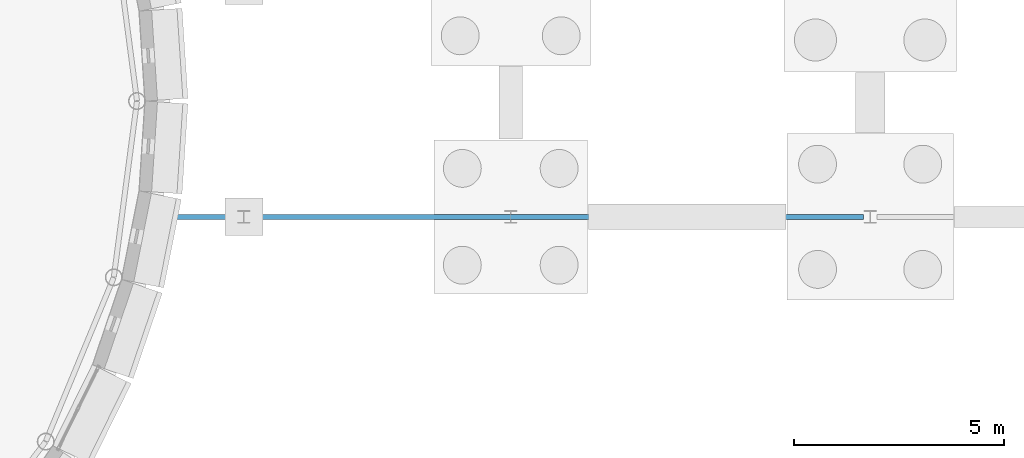
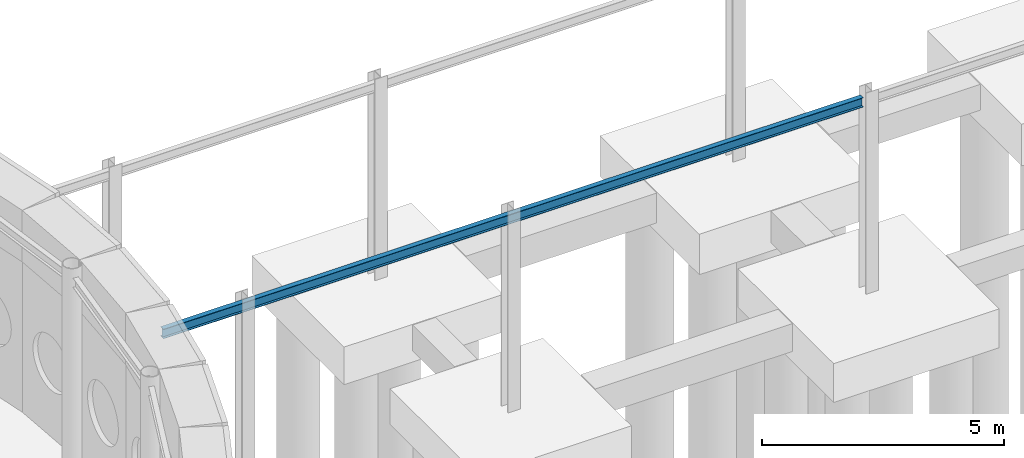
# One storey, part 40 of 109: 1 beam.
"""IFC4 building model written with IfcOpenShell, lengths in metres."""

import ifcopenshell
import ifcopenshell.guid

model = None  # the IFC model being written
_history = None  # IfcOwnerHistory: only IFC2X3 demands one
_inside = {}  # id of a spatial element -> (the spatial element, [elements in it])
_under = {}  # id of a project, library or spatial element -> (it, [spatial elements below it])
_declared = {}  # id of a project -> (the project, [libraries it declares])
_typed = {}  # id of a type object -> (the type object, [elements of that type])
_made_of = {}  # id of a material, layer set ... -> (it, [elements and type objects made of it])


def new_model(schema):
    """Start an empty IFC model of exactly this schema.

    Asked for "IFC4X3", IfcOpenShell would pick the latest addendum, in which some entities
    have other attributes; the version numbers below select the first issue.
    IFC2X3 requires an IfcOwnerHistory on every rooted entity: one is made here for all.
    """
    global model, _history
    if schema == "IFC4X3":
        model = ifcopenshell.file(schema_version=(4, 3, 0, 0))
    else:
        model = ifcopenshell.file(schema=schema)
    _inside.clear()
    _under.clear()
    _declared.clear()
    _typed.clear()
    _made_of.clear()
    _history = None
    if model.schema == "IFC2X3":
        org = make("IfcOrganization", Name="unknown")
        user = make(
            "IfcPersonAndOrganization",
            ThePerson=make("IfcPerson", FamilyName="unknown"),
            TheOrganization=org,
        )
        app = make(
            "IfcApplication",
            ApplicationDeveloper=org,
            Version="unknown",
            ApplicationFullName="unknown",
            ApplicationIdentifier="unknown",
        )
        _history = make(
            "IfcOwnerHistory",
            OwningUser=user,
            OwningApplication=app,
            ChangeAction="ADDED",
            CreationDate=0,
        )
    return model


def make(cls, **values):
    """One entity of the class cls with the attributes given. An attribute that is None is left unset."""
    return model.create_entity(
        cls, **{name: value for name, value in values.items() if value is not None}
    )


def rooted(cls, **values):
    """An entity with a GlobalId (a new one), such as an element, a storey or a relation."""
    return make(cls, GlobalId=ifcopenshell.guid.new(), OwnerHistory=_history, **values)


def si_unit(unit_type, name, prefix=None):
    """IfcSIUnit, for example si_unit("LENGTHUNIT", "METRE", prefix="MILLI")."""
    return make("IfcSIUnit", UnitType=unit_type, Prefix=prefix, Name=name)


def assignment(units):
    """IfcUnitAssignment: the units of a project."""
    return None if units is None else make("IfcUnitAssignment", Units=units)


def point(xyz):
    """IfcCartesianPoint."""
    return None if xyz is None else make("IfcCartesianPoint", Coordinates=xyz)


def direction(xyz):
    """IfcDirection."""
    return None if xyz is None else make("IfcDirection", DirectionRatios=xyz)


def frame(location, z_axis=None, x_axis=None):
    """IfcAxis2Placement3D, a coordinate frame: its origin and axes. An axis left out is left unset."""
    return make(
        "IfcAxis2Placement3D",
        Location=point(location),
        Axis=direction(z_axis),
        RefDirection=direction(x_axis),
    )


def frame_2d(location, x_axis=None):
    """IfcAxis2Placement2D, a coordinate frame in the plane: its origin and x axis."""
    return make(
        "IfcAxis2Placement2D", Location=point(location), RefDirection=direction(x_axis)
    )


def origin():
    """The frame at (0, 0, 0) with its axes left unset."""
    return frame((0.0, 0.0, 0.0))


def origin_2d():
    """The frame at (0, 0) in the plane with its x axis left unset."""
    return frame_2d((0.0, 0.0))


def place(relative_to, where):
    """IfcLocalPlacement: puts the frame where relative to a parent placement (None: the world)."""
    return make(
        "IfcLocalPlacement", PlacementRelTo=relative_to, RelativePlacement=where
    )


def context(
    kind, dimensions, precision=None, world=None, true_north=None, identifier=None
):
    """IfcGeometricRepresentationContext, for example the 3D "Model" context."""
    return make(
        "IfcGeometricRepresentationContext",
        ContextIdentifier=identifier,
        ContextType=kind,
        CoordinateSpaceDimension=dimensions,
        Precision=precision,
        WorldCoordinateSystem=world,
        TrueNorth=true_north,
    )


def subcontext(parent, identifier, kind, view, scale=None):
    """IfcGeometricRepresentationSubContext, for example "Body" below "Model"."""
    return make(
        "IfcGeometricRepresentationSubContext",
        ContextIdentifier=identifier,
        ContextType=kind,
        ParentContext=parent,
        TargetScale=scale,
        TargetView=view,
    )


def project(units=None, contexts=None):
    """IfcProject with its units and contexts."""
    return rooted(
        "IfcProject",
        Name="project",
        RepresentationContexts=contexts,
        UnitsInContext=assignment(units),
    )


def spatial(cls, under=None, at=None, **own):
    """A site, building, storey or space (cls), placed at a placement, below another one or the project."""
    s = rooted(cls, ObjectPlacement=at, **own)
    if under is not None:
        _under.setdefault(under.id(), (under, []))[1].append(s)
    return s


def profile(cls, at=None, kind="AREA", **sizes):
    """A parametric profile (cls). Its sizes go by their IFC names, for example OverallWidth=200.0."""
    return make(cls, ProfileType=kind, Position=at, **sizes)


def i_section(**sizes):
    """IfcIShapeProfileDef."""
    return profile("IfcIShapeProfileDef", **sizes)


def extrude(swept, where, along, depth):
    """IfcExtrudedAreaSolid: the profile swept, set in the frame where, extruded along a direction by depth."""
    return make(
        "IfcExtrudedAreaSolid",
        SweptArea=swept,
        Position=where,
        ExtrudedDirection=direction(along),
        Depth=depth,
    )


def shape(context_of_items, identifier, shape_type, items):
    """IfcShapeRepresentation: the items that make up one representation, for example the "Body"."""
    return make(
        "IfcShapeRepresentation",
        ContextOfItems=context_of_items,
        RepresentationIdentifier=identifier,
        RepresentationType=shape_type,
        Items=items,
    )


def material(Name=None, Category=None):
    """IfcMaterial."""
    return make("IfcMaterial", Name=Name, Category=Category)


def material_profile(
    of_material, cross_section, Name=None, Category=None, Priority=None
):
    """IfcMaterialProfile: a cross section and its material."""
    return make(
        "IfcMaterialProfile",
        Name=Name,
        Material=of_material,
        Profile=cross_section,
        Priority=Priority,
        Category=Category,
    )


def profile_set(profiles, Name=None, composite=None):
    """IfcMaterialProfileSet."""
    return make(
        "IfcMaterialProfileSet",
        Name=Name,
        MaterialProfiles=profiles,
        CompositeProfile=composite,
    )


def made_of(thing, what):
    """Note that an element or type object is made of a material, layer set ...; save() writes the relation."""
    if what is not None:
        _made_of.setdefault(what.id(), (what, []))[1].append(thing)
    return thing


def type_object(cls, material=None, **own):
    """A type object (cls), such as IfcWallType, which elements share."""
    return made_of(rooted(cls, **own), material)


def element(
    cls,
    number,
    at=None,
    inside=None,
    cuts=None,
    type_object=None,
    material=None,
    context=None,
    identifier="Body",
    shape_type=None,
    held_by="IfcProductDefinitionShape",
    body=None,
    shapes=None,
    **own,
):
    """One element of the class cls, such as IfcWall. Its Tag is "e" and its number.

    at: its placement. inside: the storey or other place that contains it. cuts: it is an
    opening in that element (IfcRelVoidsElement). A single representation is given by context,
    identifier, shape_type and body (its items); several are given by shapes. held_by: the class
    of the entity that holds the representations. save() writes the other relations.
    """
    e = rooted(cls, Tag="e%d" % number, ObjectPlacement=at, **own)
    if body is not None:
        shapes = [shape(context, identifier, shape_type, body)]
    if shapes is not None:
        e.Representation = make(held_by, Representations=shapes)
    if inside is not None:
        _inside.setdefault(inside.id(), (inside, []))[1].append(e)
    if cuts is not None:
        rooted(
            "IfcRelVoidsElement", RelatingBuildingElement=cuts, RelatedOpeningElement=e
        )
    if type_object is not None:
        _typed.setdefault(type_object.id(), (type_object, []))[1].append(e)
    return made_of(e, material)


def aggregate(whole, parts):
    """IfcRelAggregates: a whole, such as a stair, and the parts it consists of."""
    return rooted("IfcRelAggregates", RelatingObject=whole, RelatedObjects=parts)


def save(model, path):
    """Write the relations noted so far, then the file.

    IfcRelAggregates (storeys below a building ...), IfcRelContainedInSpatialStructure (elements
    in a storey), IfcRelDefinesByType, IfcRelAssociatesMaterial and IfcRelDeclares: one each for
    every whole, place, type object, material and project.
    """
    for whole, parts in _under.values():
        aggregate(whole, parts)
    for where, things in _inside.values():
        rooted(
            "IfcRelContainedInSpatialStructure",
            RelatedElements=things,
            RelatingStructure=where,
        )
    for kind, things in _typed.values():
        rooted("IfcRelDefinesByType", RelatedObjects=things, RelatingType=kind)
    for what, things in _made_of.values():
        rooted("IfcRelAssociatesMaterial", RelatedObjects=things, RelatingMaterial=what)
    for by, libraries in _declared.values():
        rooted("IfcRelDeclares", RelatingContext=by, RelatedDefinitions=libraries)
    model.write(path)


model = new_model("IFC4")

# Units and contexts
model_context = context("Model", 3, precision=1e-05, world=origin(), true_north=direction((0.0, 1.0)))
body_context = subcontext(model_context, "Body", "Model", "MODEL_VIEW")
ifc_project = project(units=[si_unit("LENGTHUNIT", "METRE"), si_unit("AREAUNIT", "SQUARE_METRE"), si_unit("VOLUMEUNIT", "CUBIC_METRE"), si_unit("PLANEANGLEUNIT", "RADIAN"), si_unit("MASSUNIT", "GRAM", prefix="KILO")], contexts=[model_context])

# Site, building, storey
site_placement = place(None, origin())
site = spatial("IfcSite", under=ifc_project, at=site_placement, CompositionType="ELEMENT")
building_placement = place(site_placement, origin())
building = spatial("IfcBuilding", under=site, at=building_placement, Name="Montecoro Central Library", CompositionType="ELEMENT")
storey_placement = place(building_placement, origin())
storey = spatial("IfcBuildingStorey", under=building, at=storey_placement, Name="L00", CompositionType="ELEMENT", Elevation=0.0)

# Beam
ifc_material = material(Name="Steel S355", Category="steel")
ifc_material_profile = material_profile(ifc_material, i_section(OverallWidth=0.1201171875, OverallDepth=0.239990234375, WebThickness=0.006103515625, FlangeThickness=0.009765625, at=origin_2d()), Name="IPE 240")
ifc_profile_set = profile_set([ifc_material_profile], Name="Steel S355")
beam_type = type_object("IfcBeamType", Name="BM-SP-IPE240", PredefinedType="SPANDREL", material=ifc_profile_set)
beam_placement = place(storey_placement, frame((108.340087890625, 32.64990234375, 4.794921875), z_axis=(1.0, 0.0, 0.0), x_axis=(0.0, 1.0, 0.0)))
element("IfcBeam", 1, at=beam_placement, inside=storey, type_object=beam_type, Name="BR-SE-L01-BM-S1", PredefinedType="SPANDREL", context=body_context, shape_type="SweptSolid", body=[
    extrude(i_section(OverallWidth=0.1201171875, OverallDepth=0.239990234375, WebThickness=0.006103515625, FlangeThickness=0.009765625, at=origin_2d()), origin(), (0.0, 0.0, 1.0), 16.699951171875),
])

save(model, "model.ifc")
